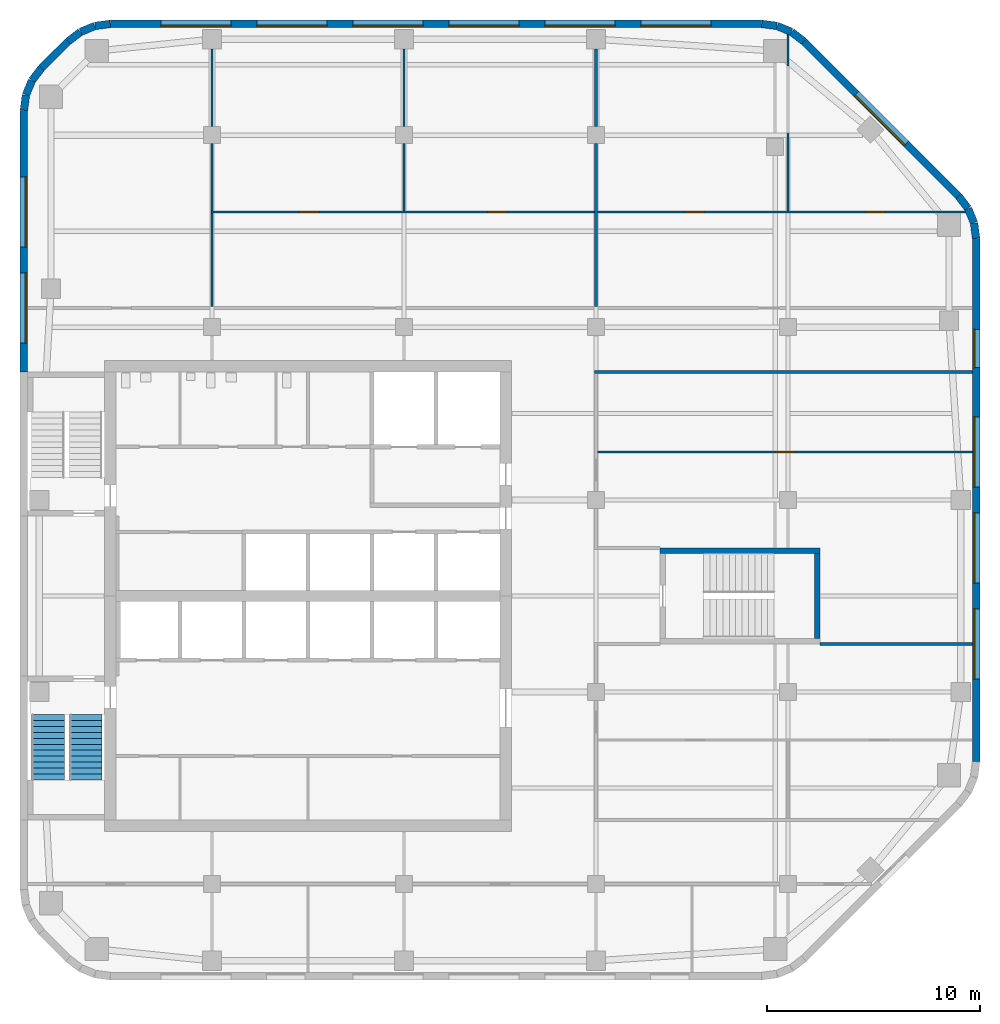
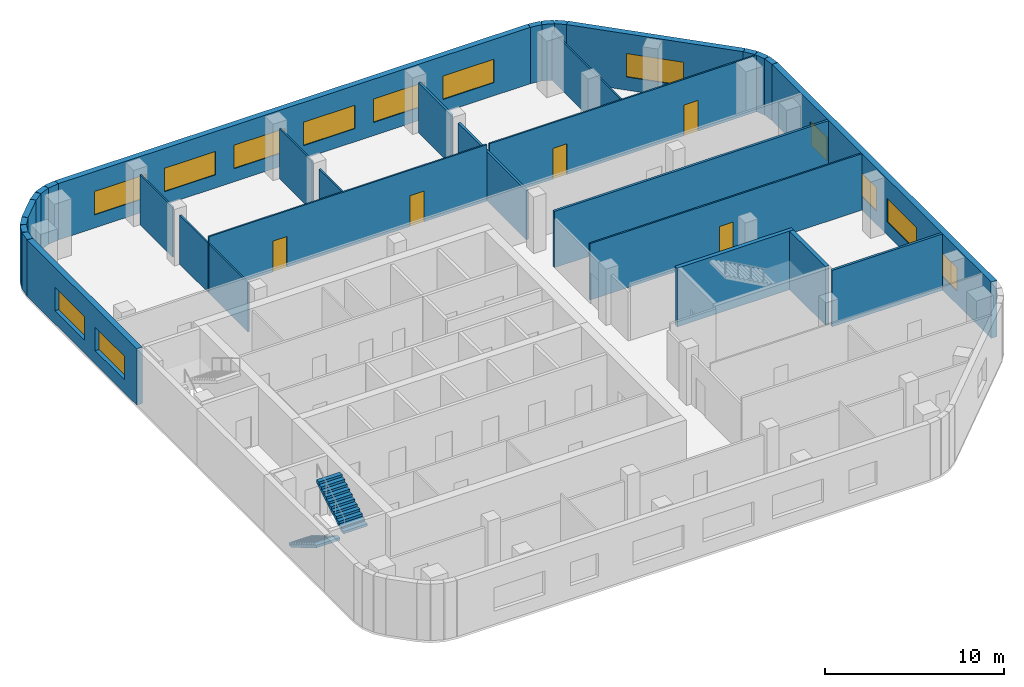
# One storey, part 5 of 8: 32 walls, 13 windows, 5 doors, 2 stair flights, 18 openings, 1 element without a shape of its own.
"""IFC4 building model written with IfcOpenShell, lengths in metres."""

from ifc_helpers import new_model, si_unit, direction, frame, frame_2d, origin, place, context, subcontext, project, spatial, polyline, rectangle, outline, extrude, material, layer, layer_set, type_object, element, fill, aggregate, save


model = new_model("IFC4")

# Units and contexts
model_context = context("Model", 3, precision=1e-05, world=origin(), true_north=direction((0.0, 1.0)))
body_context = subcontext(model_context, "Body", "Model", "MODEL_VIEW")
ifc_project = project(units=[si_unit("LENGTHUNIT", "METRE"), si_unit("AREAUNIT", "SQUARE_METRE"), si_unit("VOLUMEUNIT", "CUBIC_METRE"), si_unit("PLANEANGLEUNIT", "RADIAN"), si_unit("MASSUNIT", "GRAM", prefix="KILO")], contexts=[model_context])

# Site, building, storey
site_placement = place(None, origin())
site = spatial("IfcSite", under=ifc_project, at=site_placement, CompositionType="ELEMENT")
building_placement = place(site_placement, origin())
building = spatial("IfcBuilding", under=site, at=building_placement, Name="Cinnabar Reach Civic Tower", CompositionType="ELEMENT")
storey_placement = place(building_placement, frame((0.0, 0.0, 202.0)))
storey = spatial("IfcBuildingStorey", under=building, at=storey_placement, Name="L48", CompositionType="ELEMENT", Elevation=202.0)

# Walls
ifc_material_1 = material(Name="Facing brick with insulated backing", Category="masonry")
ifc_layer_1 = layer(ifc_material_1, 0.36)
ifc_layer_set_1 = layer_set([ifc_layer_1], Name="Brick corner wall")
wall_type_1 = type_object("IfcWallType", Name="Brick corner wall", PredefinedType="STANDARD", material=ifc_layer_set_1)
for number, where, z_axis, x_axis, name in (
    (1, (44.817, 48.2686, 0.0), (0.0, 0.0, 1.0), (-0.13055608231, 0.99144092581, 0.0), "Brick corner wall"),
    (2, (44.7181, 48.9973, 0.0), (0.0, 0.0, 1.0), (-0.382702709855, 0.923871547278, 0.0), "Brick corner wall"),
):
    element("IfcWall", number, at=place(storey_placement, frame(where, z_axis=z_axis, x_axis=x_axis)), inside=storey, type_object=wall_type_1, Name=name, PredefinedType="STANDARD", context=body_context, shape_type="SweptSolid", body=[
        extrude(rectangle(XDim=0.7131, YDim=0.36, at=frame_2d((0.3565, 0.0))), origin(), (0.0, 0.0, 1.0), 3.85),
    ])
for number, where, z_axis, x_axis, name in (
    (3, (44.434, 49.6755, 0.0), (0.0, 0.0, 1.0), (-0.608802368033, 0.793321924995, 0.0), "Brick corner wall"),
    (4, (36.7413, 57.4998, 0.0), (0.0, 0.0, 1.0), (-0.793321924995, 0.608802368033, 0.0), "Brick corner wall"),
):
    element("IfcWall", number, at=place(storey_placement, frame(where, z_axis=z_axis, x_axis=x_axis)), inside=storey, type_object=wall_type_1, Name=name, PredefinedType="STANDARD", context=body_context, shape_type="SweptSolid", body=[
        extrude(rectangle(XDim=0.7132, YDim=0.36, at=frame_2d((0.3566, 0.0))), origin(), (0.0, 0.0, 1.0), 3.85),
    ])
for number, where, z_axis, x_axis, name in (
    (5, (36.1561, 57.9452, 0.0), (0.0, 0.0, 1.0), (-0.923871547278, 0.382702709855, 0.0), "Brick corner wall"),
    (6, (35.4756, 58.2239, 0.0), (0.0, 0.0, 1.0), (-0.99144092581, 0.13055608231, 0.0), "Brick corner wall"),
    (7, (4.2314, 58.317, 0.0), (0.0, 0.0, 1.0), (-0.99144092581, -0.13055608231, 0.0), "Brick corner wall"),
    (8, (3.5027, 58.2181, 0.0), (0.0, 0.0, 1.0), (-0.923871547278, -0.382702709855, 0.0), "Brick corner wall"),
):
    element("IfcWall", number, at=place(storey_placement, frame(where, z_axis=z_axis, x_axis=x_axis)), inside=storey, type_object=wall_type_1, Name=name, PredefinedType="STANDARD", context=body_context, shape_type="SweptSolid", body=[
        extrude(rectangle(XDim=0.7131, YDim=0.36, at=frame_2d((0.3565, 0.0))), origin(), (0.0, 0.0, 1.0), 3.85),
    ])
for number, where, z_axis, x_axis, name in (
    (9, (2.8245, 57.934, 0.0), (0.0, 0.0, 1.0), (-0.793321924995, -0.608802368033, 0.0), "Brick corner wall"),
    (10, (1.0002, 56.2413, 0.0), (0.0, 0.0, 1.0), (-0.608802368033, -0.793321924995, 0.0), "Brick corner wall"),
):
    element("IfcWall", number, at=place(storey_placement, frame(where, z_axis=z_axis, x_axis=x_axis)), inside=storey, type_object=wall_type_1, Name=name, PredefinedType="STANDARD", context=body_context, shape_type="SweptSolid", body=[
        extrude(rectangle(XDim=0.7132, YDim=0.36, at=frame_2d((0.3566, 0.0))), origin(), (0.0, 0.0, 1.0), 3.85),
    ])
for number, where, z_axis, x_axis, name in (
    (11, (0.5548, 55.6561, 0.0), (0.0, 0.0, 1.0), (-0.382702709855, -0.923871547278, 0.0), "Brick corner wall"),
    (12, (0.2761, 54.9756, 0.0), (0.0, 0.0, 1.0), (-0.13055608231, -0.99144092581, 0.0), "Brick corner wall"),
):
    element("IfcWall", number, at=place(storey_placement, frame(where, z_axis=z_axis, x_axis=x_axis)), inside=storey, type_object=wall_type_1, Name=name, PredefinedType="STANDARD", context=body_context, shape_type="SweptSolid", body=[
        extrude(rectangle(XDim=0.7131, YDim=0.36, at=frame_2d((0.3565, 0.0))), origin(), (0.0, 0.0, 1.0), 3.85),
    ])

# Wall, openings, windows
ifc_layer_2 = layer(ifc_material_1, 0.36)
ifc_layer_set_2 = layer_set([ifc_layer_2], Name="Brick pier and spandrel wall")
wall_type_2 = type_object("IfcWallType", Name="Brick pier and spandrel wall", PredefinedType="STANDARD", material=ifc_layer_set_2)
wall_1_placement = place(storey_placement, frame((44.82, 23.7426, 0.0), z_axis=(0.0, 0.0, 1.0), x_axis=(0.0, 1.0, 0.0)))
wall_1 = element("IfcWall", 13, at=wall_1_placement, inside=storey, type_object=wall_type_2, Name="Brick facade wall", PredefinedType="STANDARD", context=body_context, shape_type="SweptSolid", body=[
    extrude(rectangle(XDim=24.5148, YDim=0.36, at=frame_2d((12.2574, 0.0))), origin(), (0.0, 0.0, 1.0), 3.85),
])
opening_1_placement = place(wall_1_placement, frame((3.8574, 0.0, 0.9)))
opening_1 = element("IfcOpeningElement", 14, at=opening_1_placement, cuts=wall_1, Name="Opening W1987", PredefinedType="OPENING", context=body_context, shape_type="SweptSolid", body=[
    extrude(rectangle(XDim=3.3, YDim=1.6, at=frame_2d((1.65, 0.8))), frame((0.0, 0.19, 0.0), z_axis=(0.0, -1.0, 0.0), x_axis=(1.0, 0.0, 0.0)), (0.0, 0.0, 1.0), 0.38),
])
opening_2_placement = place(wall_1_placement, frame((8.3574, 0.0, 0.9)))
opening_2 = element("IfcOpeningElement", 15, at=opening_2_placement, cuts=wall_1, Name="Opening W1988", PredefinedType="OPENING", context=body_context, shape_type="SweptSolid", body=[
    extrude(rectangle(XDim=3.3, YDim=1.6, at=frame_2d((1.65, 0.8))), frame((0.0, 0.19, 0.0), z_axis=(0.0, -1.0, 0.0), x_axis=(1.0, 0.0, 0.0)), (0.0, 0.0, 1.0), 0.38),
])
opening_3_placement = place(wall_1_placement, frame((12.8574, 0.0, 0.9)))
opening_3 = element("IfcOpeningElement", 16, at=opening_3_placement, cuts=wall_1, Name="Opening W1989", PredefinedType="OPENING", context=body_context, shape_type="SweptSolid", body=[
    extrude(rectangle(XDim=3.3, YDim=1.6, at=frame_2d((1.65, 0.8))), frame((0.0, 0.19, 0.0), z_axis=(0.0, -1.0, 0.0), x_axis=(1.0, 0.0, 0.0)), (0.0, 0.0, 1.0), 0.38),
])
opening_4_placement = place(wall_1_placement, frame((18.4574, 0.0, 0.9)))
opening_4 = element("IfcOpeningElement", 17, at=opening_4_placement, cuts=wall_1, Name="Opening W1990", PredefinedType="OPENING", context=body_context, shape_type="SweptSolid", body=[
    extrude(rectangle(XDim=1.8, YDim=1.6, at=frame_2d((0.9, 0.8))), frame((0.0, 0.19, 0.0), z_axis=(0.0, -1.0, 0.0), x_axis=(1.0, 0.0, 0.0)), (0.0, 0.0, 1.0), 0.38),
])
ifc_material_2 = material(Name="Clear double glazing in aluminium frame", Category="aluminium")
window_type_1 = type_object("IfcWindowType", Name="Deep-set window A", PartitioningType="SINGLE_PANEL", PredefinedType="WINDOW", material=ifc_material_2)
window_1_placement = place(opening_1_placement, origin())
window_1 = element("IfcWindow", 18, at=window_1_placement, inside=storey, type_object=window_type_1, Name="Window east face", OverallHeight=1.6, OverallWidth=3.3, PartitioningType="SINGLE_PANEL", PredefinedType="WINDOW", context=body_context, shape_type="SweptSolid", body=[
    extrude(rectangle(XDim=3.3, YDim=1.6, at=frame_2d((1.65, 0.8))), frame((0.0, 0.13, 0.0), z_axis=(0.0, -1.0, 0.0), x_axis=(1.0, 0.0, 0.0)), (0.0, 0.0, 1.0), 0.06),
])
fill(opening_1, window_1)
window_2_placement = place(opening_2_placement, origin())
window_2 = element("IfcWindow", 19, at=window_2_placement, inside=storey, type_object=window_type_1, Name="Window east face", OverallHeight=1.6, OverallWidth=3.3, PartitioningType="SINGLE_PANEL", PredefinedType="WINDOW", context=body_context, shape_type="SweptSolid", body=[
    extrude(rectangle(XDim=3.3, YDim=1.6, at=frame_2d((1.65, 0.8))), frame((0.0, 0.13, 0.0), z_axis=(0.0, -1.0, 0.0), x_axis=(1.0, 0.0, 0.0)), (0.0, 0.0, 1.0), 0.06),
])
fill(opening_2, window_2)
window_3_placement = place(opening_3_placement, origin())
window_3 = element("IfcWindow", 20, at=window_3_placement, inside=storey, type_object=window_type_1, Name="Window east face", OverallHeight=1.6, OverallWidth=3.3, PartitioningType="SINGLE_PANEL", PredefinedType="WINDOW", context=body_context, shape_type="SweptSolid", body=[
    extrude(rectangle(XDim=3.3, YDim=1.6, at=frame_2d((1.65, 0.8))), frame((0.0, 0.13, 0.0), z_axis=(0.0, -1.0, 0.0), x_axis=(1.0, 0.0, 0.0)), (0.0, 0.0, 1.0), 0.06),
])
fill(opening_3, window_3)
window_type_2 = type_object("IfcWindowType", Name="Deep-set window D", PartitioningType="SINGLE_PANEL", PredefinedType="WINDOW", material=ifc_material_2)
window_4_placement = place(opening_4_placement, origin())
window_4 = element("IfcWindow", 21, at=window_4_placement, inside=storey, type_object=window_type_2, Name="Window east face", OverallHeight=1.6, OverallWidth=1.8, PartitioningType="SINGLE_PANEL", PredefinedType="WINDOW", context=body_context, shape_type="SweptSolid", body=[
    extrude(rectangle(XDim=1.8, YDim=1.6, at=frame_2d((0.9, 0.8))), frame((0.0, 0.13, 0.0), z_axis=(0.0, -1.0, 0.0), x_axis=(1.0, 0.0, 0.0)), (0.0, 0.0, 1.0), 0.06),
])
fill(opening_4, window_4)

# Wall, opening, window
wall_2_placement = place(storey_placement, frame((43.994, 50.2514, 0.0), z_axis=(0.0, 0.0, 1.0), x_axis=(-0.707106781187, 0.707106781187, 0.0)))
wall_2 = element("IfcWall", 22, at=wall_2_placement, inside=storey, type_object=wall_type_2, Name="Brick facade wall", PredefinedType="STANDARD", context=body_context, shape_type="SweptSolid", body=[
    extrude(rectangle(XDim=10.2426, YDim=0.36, at=frame_2d((5.1213, 0.0))), origin(), (0.0, 0.0, 1.0), 3.85),
])
opening_5_placement = place(wall_2_placement, frame((3.4713, 0.0, 0.9)))
opening_5 = element("IfcOpeningElement", 23, at=opening_5_placement, cuts=wall_2, Name="Opening W1991", PredefinedType="OPENING", context=body_context, shape_type="SweptSolid", body=[
    extrude(rectangle(XDim=3.3, YDim=1.6, at=frame_2d((1.65, 0.8))), frame((0.0, 0.19, 0.0), z_axis=(0.0, -1.0, 0.0), x_axis=(1.0, 0.0, 0.0)), (0.0, 0.0, 1.0), 0.38),
])
window_5_placement = place(opening_5_placement, origin())
window_5 = element("IfcWindow", 24, at=window_5_placement, inside=storey, type_object=window_type_1, Name="Window northeast face", OverallHeight=1.6, OverallWidth=3.3, PartitioningType="SINGLE_PANEL", PredefinedType="WINDOW", context=body_context, shape_type="SweptSolid", body=[
    extrude(rectangle(XDim=3.3, YDim=1.6, at=frame_2d((1.65, 0.8))), frame((0.0, 0.13, 0.0), z_axis=(0.0, -1.0, 0.0), x_axis=(1.0, 0.0, 0.0)), (0.0, 0.0, 1.0), 0.06),
])
fill(opening_5, window_5)

# Wall, openings, windows
wall_3_placement = place(storey_placement, frame((34.7574, 58.32, 0.0), z_axis=(0.0, 0.0, 1.0), x_axis=(-1.0, 0.0, 0.0)))
wall_3 = element("IfcWall", 25, at=wall_3_placement, inside=storey, type_object=wall_type_2, Name="Brick facade wall", PredefinedType="STANDARD", context=body_context, shape_type="SweptSolid", body=[
    extrude(rectangle(XDim=30.5148, YDim=0.36, at=frame_2d((15.2574, 0.0))), origin(), (0.0, 0.0, 1.0), 3.85),
])
opening_6_placement = place(wall_3_placement, frame((2.3574, 0.0, 0.9)))
opening_6 = element("IfcOpeningElement", 26, at=opening_6_placement, cuts=wall_3, Name="Opening W1992", PredefinedType="OPENING", context=body_context, shape_type="SweptSolid", body=[
    extrude(rectangle(XDim=3.3, YDim=1.6, at=frame_2d((1.65, 0.8))), frame((0.0, 0.19, 0.0), z_axis=(0.0, -1.0, 0.0), x_axis=(1.0, 0.0, 0.0)), (0.0, 0.0, 1.0), 0.38),
])
opening_7_placement = place(wall_3_placement, frame((6.8574, 0.0, 0.9)))
opening_7 = element("IfcOpeningElement", 27, at=opening_7_placement, cuts=wall_3, Name="Opening W1993", PredefinedType="OPENING", context=body_context, shape_type="SweptSolid", body=[
    extrude(rectangle(XDim=3.3, YDim=1.6, at=frame_2d((1.65, 0.8))), frame((0.0, 0.19, 0.0), z_axis=(0.0, -1.0, 0.0), x_axis=(1.0, 0.0, 0.0)), (0.0, 0.0, 1.0), 0.38),
])
opening_8_placement = place(wall_3_placement, frame((11.3574, 0.0, 0.9)))
opening_8 = element("IfcOpeningElement", 28, at=opening_8_placement, cuts=wall_3, Name="Opening W1994", PredefinedType="OPENING", context=body_context, shape_type="SweptSolid", body=[
    extrude(rectangle(XDim=3.3, YDim=1.6, at=frame_2d((1.65, 0.8))), frame((0.0, 0.19, 0.0), z_axis=(0.0, -1.0, 0.0), x_axis=(1.0, 0.0, 0.0)), (0.0, 0.0, 1.0), 0.38),
])
opening_9_placement = place(wall_3_placement, frame((15.8574, 0.0, 0.9)))
opening_9 = element("IfcOpeningElement", 29, at=opening_9_placement, cuts=wall_3, Name="Opening W1995", PredefinedType="OPENING", context=body_context, shape_type="SweptSolid", body=[
    extrude(rectangle(XDim=3.3, YDim=1.6, at=frame_2d((1.65, 0.8))), frame((0.0, 0.19, 0.0), z_axis=(0.0, -1.0, 0.0), x_axis=(1.0, 0.0, 0.0)), (0.0, 0.0, 1.0), 0.38),
])
opening_10_placement = place(wall_3_placement, frame((20.3574, 0.0, 0.9)))
opening_10 = element("IfcOpeningElement", 30, at=opening_10_placement, cuts=wall_3, Name="Opening W1996", PredefinedType="OPENING", context=body_context, shape_type="SweptSolid", body=[
    extrude(rectangle(XDim=3.3, YDim=1.6, at=frame_2d((1.65, 0.8))), frame((0.0, 0.19, 0.0), z_axis=(0.0, -1.0, 0.0), x_axis=(1.0, 0.0, 0.0)), (0.0, 0.0, 1.0), 0.38),
])
opening_11_placement = place(wall_3_placement, frame((24.8574, 0.0, 0.9)))
opening_11 = element("IfcOpeningElement", 31, at=opening_11_placement, cuts=wall_3, Name="Opening W1997", PredefinedType="OPENING", context=body_context, shape_type="SweptSolid", body=[
    extrude(rectangle(XDim=3.3, YDim=1.6, at=frame_2d((1.65, 0.8))), frame((0.0, 0.19, 0.0), z_axis=(0.0, -1.0, 0.0), x_axis=(1.0, 0.0, 0.0)), (0.0, 0.0, 1.0), 0.38),
])
window_6_placement = place(opening_6_placement, origin())
window_6 = element("IfcWindow", 32, at=window_6_placement, inside=storey, type_object=window_type_1, Name="Window north face", OverallHeight=1.6, OverallWidth=3.3, PartitioningType="SINGLE_PANEL", PredefinedType="WINDOW", context=body_context, shape_type="SweptSolid", body=[
    extrude(rectangle(XDim=3.3, YDim=1.6, at=frame_2d((1.65, 0.8))), frame((0.0, 0.13, 0.0), z_axis=(0.0, -1.0, 0.0), x_axis=(1.0, 0.0, 0.0)), (0.0, 0.0, 1.0), 0.06),
])
fill(opening_6, window_6)
window_7_placement = place(opening_7_placement, origin())
window_7 = element("IfcWindow", 33, at=window_7_placement, inside=storey, type_object=window_type_1, Name="Window north face", OverallHeight=1.6, OverallWidth=3.3, PartitioningType="SINGLE_PANEL", PredefinedType="WINDOW", context=body_context, shape_type="SweptSolid", body=[
    extrude(rectangle(XDim=3.3, YDim=1.6, at=frame_2d((1.65, 0.8))), frame((0.0, 0.13, 0.0), z_axis=(0.0, -1.0, 0.0), x_axis=(1.0, 0.0, 0.0)), (0.0, 0.0, 1.0), 0.06),
])
fill(opening_7, window_7)
window_8_placement = place(opening_8_placement, origin())
window_8 = element("IfcWindow", 34, at=window_8_placement, inside=storey, type_object=window_type_1, Name="Window north face", OverallHeight=1.6, OverallWidth=3.3, PartitioningType="SINGLE_PANEL", PredefinedType="WINDOW", context=body_context, shape_type="SweptSolid", body=[
    extrude(rectangle(XDim=3.3, YDim=1.6, at=frame_2d((1.65, 0.8))), frame((0.0, 0.13, 0.0), z_axis=(0.0, -1.0, 0.0), x_axis=(1.0, 0.0, 0.0)), (0.0, 0.0, 1.0), 0.06),
])
fill(opening_8, window_8)
window_9_placement = place(opening_9_placement, origin())
window_9 = element("IfcWindow", 35, at=window_9_placement, inside=storey, type_object=window_type_1, Name="Window north face", OverallHeight=1.6, OverallWidth=3.3, PartitioningType="SINGLE_PANEL", PredefinedType="WINDOW", context=body_context, shape_type="SweptSolid", body=[
    extrude(rectangle(XDim=3.3, YDim=1.6, at=frame_2d((1.65, 0.8))), frame((0.0, 0.13, 0.0), z_axis=(0.0, -1.0, 0.0), x_axis=(1.0, 0.0, 0.0)), (0.0, 0.0, 1.0), 0.06),
])
fill(opening_9, window_9)
window_10_placement = place(opening_10_placement, origin())
window_10 = element("IfcWindow", 36, at=window_10_placement, inside=storey, type_object=window_type_1, Name="Window north face", OverallHeight=1.6, OverallWidth=3.3, PartitioningType="SINGLE_PANEL", PredefinedType="WINDOW", context=body_context, shape_type="SweptSolid", body=[
    extrude(rectangle(XDim=3.3, YDim=1.6, at=frame_2d((1.65, 0.8))), frame((0.0, 0.13, 0.0), z_axis=(0.0, -1.0, 0.0), x_axis=(1.0, 0.0, 0.0)), (0.0, 0.0, 1.0), 0.06),
])
fill(opening_10, window_10)
window_11_placement = place(opening_11_placement, origin())
window_11 = element("IfcWindow", 37, at=window_11_placement, inside=storey, type_object=window_type_1, Name="Window north face", OverallHeight=1.6, OverallWidth=3.3, PartitioningType="SINGLE_PANEL", PredefinedType="WINDOW", context=body_context, shape_type="SweptSolid", body=[
    extrude(rectangle(XDim=3.3, YDim=1.6, at=frame_2d((1.65, 0.8))), frame((0.0, 0.13, 0.0), z_axis=(0.0, -1.0, 0.0), x_axis=(1.0, 0.0, 0.0)), (0.0, 0.0, 1.0), 0.06),
])
fill(opening_11, window_11)

# Wall
wall_4_placement = place(storey_placement, frame((2.2486, 57.494, 0.0), z_axis=(0.0, 0.0, 1.0), x_axis=(-0.707106781187, -0.707106781187, 0.0)))
element("IfcWall", 38, at=wall_4_placement, inside=storey, type_object=wall_type_2, Name="Brick facade wall", PredefinedType="STANDARD", context=body_context, shape_type="SweptSolid", body=[
    extrude(rectangle(XDim=1.7573, YDim=0.36, at=frame_2d((0.8787, 0.0))), origin(), (0.0, 0.0, 1.0), 3.85),
])

# Wall, openings, windows
wall_5_placement = place(storey_placement, frame((0.18, 54.2574, 0.0), z_axis=(0.0, 0.0, 1.0), x_axis=(0.0, -1.0, 0.0)))
wall_5 = element("IfcWall", 39, at=wall_5_placement, inside=storey, type_object=wall_type_2, Name="Brick facade wall", PredefinedType="STANDARD", context=body_context, shape_type="SweptSolid", body=[
    extrude(rectangle(XDim=12.2574, YDim=0.36, at=frame_2d((6.1287, 0.0))), origin(), (0.0, 0.0, 1.0), 3.85),
])
opening_12_placement = place(wall_5_placement, frame((3.1074, 0.0, 0.9)))
opening_12 = element("IfcOpeningElement", 40, at=opening_12_placement, cuts=wall_5, Name="Opening W1998", PredefinedType="OPENING", context=body_context, shape_type="SweptSolid", body=[
    extrude(rectangle(XDim=3.3, YDim=1.6, at=frame_2d((1.65, 0.8))), frame((0.0, 0.19, 0.0), z_axis=(0.0, -1.0, 0.0), x_axis=(1.0, 0.0, 0.0)), (0.0, 0.0, 1.0), 0.38),
])
opening_13_placement = place(wall_5_placement, frame((7.6074, 0.0, 0.9)))
opening_13 = element("IfcOpeningElement", 41, at=opening_13_placement, cuts=wall_5, Name="Opening W1999", PredefinedType="OPENING", context=body_context, shape_type="SweptSolid", body=[
    extrude(rectangle(XDim=3.3, YDim=1.6, at=frame_2d((1.65, 0.8))), frame((0.0, 0.19, 0.0), z_axis=(0.0, -1.0, 0.0), x_axis=(1.0, 0.0, 0.0)), (0.0, 0.0, 1.0), 0.38),
])
window_12_placement = place(opening_12_placement, origin())
window_12 = element("IfcWindow", 42, at=window_12_placement, inside=storey, type_object=window_type_1, Name="Window west face", OverallHeight=1.6, OverallWidth=3.3, PartitioningType="SINGLE_PANEL", PredefinedType="WINDOW", context=body_context, shape_type="SweptSolid", body=[
    extrude(rectangle(XDim=3.3, YDim=1.6, at=frame_2d((1.65, 0.8))), frame((0.0, 0.13, 0.0), z_axis=(0.0, -1.0, 0.0), x_axis=(1.0, 0.0, 0.0)), (0.0, 0.0, 1.0), 0.06),
])
fill(opening_12, window_12)
window_13_placement = place(opening_13_placement, origin())
window_13 = element("IfcWindow", 43, at=window_13_placement, inside=storey, type_object=window_type_1, Name="Window west face", OverallHeight=1.6, OverallWidth=3.3, PartitioningType="SINGLE_PANEL", PredefinedType="WINDOW", context=body_context, shape_type="SweptSolid", body=[
    extrude(rectangle(XDim=3.3, YDim=1.6, at=frame_2d((1.65, 0.8))), frame((0.0, 0.13, 0.0), z_axis=(0.0, -1.0, 0.0), x_axis=(1.0, 0.0, 0.0)), (0.0, 0.0, 1.0), 0.06),
])
fill(opening_13, window_13)

# Wall
ifc_material_3 = material(Name="Gypsum board on steel studs, double layer", Category="steel")
ifc_layer_3 = layer(ifc_material_3, 0.15)
ifc_layer_set_3 = layer_set([ifc_layer_3], Name="Corridor wall 150 T1")
wall_type_3 = type_object("IfcWallType", Name="Corridor wall 150 T1", PredefinedType="PARTITIONING", material=ifc_layer_set_3)
wall_6_placement = place(storey_placement, frame((26.925, 42.0, 0.0), z_axis=(0.0, 0.0, 1.0), x_axis=(1.0, 0.0, 0.0)))
element("IfcWall", 44, at=wall_6_placement, inside=storey, type_object=wall_type_3, Name="Corridor wall 25", PredefinedType="PARTITIONING", context=body_context, shape_type="SweptSolid", body=[
    extrude(rectangle(XDim=17.715, YDim=0.15, at=frame_2d((8.8575, 0.0))), origin(), (0.0, 0.0, 1.0), 3.85),
])

# Wall, openings, doors
ifc_material_4 = material(Name="Gypsum board on steel studs", Category="steel")
ifc_layer_4 = layer(ifc_material_4, 0.1)
ifc_layer_set_4 = layer_set([ifc_layer_4], Name="Partition wall 100 T1")
wall_type_4 = type_object("IfcWallType", Name="Partition wall 100 T1", PredefinedType="PARTITIONING", material=ifc_layer_set_4)
wall_7_placement = place(storey_placement, frame((8.95, 49.5, 0.0), z_axis=(0.0, 0.0, 1.0), x_axis=(1.0, 0.0, 0.0)))
wall_7 = element("IfcWall", 45, at=wall_7_placement, inside=storey, type_object=wall_type_4, Name="Partition wall 42", PredefinedType="PARTITIONING", context=body_context, shape_type="SweptSolid", body=[
    extrude(rectangle(XDim=17.975, YDim=0.1, at=frame_2d((8.9875, 0.0))), origin(), (0.0, 0.0, 1.0), 3.85),
])
opening_14_placement = place(wall_7_placement, frame((4.15, 0.0, 0.0)))
opening_14 = element("IfcOpeningElement", 46, at=opening_14_placement, cuts=wall_7, Name="Opening D4988", PredefinedType="OPENING", context=body_context, shape_type="SweptSolid", body=[
    extrude(rectangle(XDim=0.9, YDim=2.1, at=frame_2d((0.45, 1.05))), frame((0.0, 0.06, 0.0), z_axis=(0.0, -1.0, 0.0), x_axis=(1.0, 0.0, 0.0)), (0.0, 0.0, 1.0), 0.12),
])
opening_15_placement = place(wall_7_placement, frame((13.0, 0.0, 0.0)))
opening_15 = element("IfcOpeningElement", 47, at=opening_15_placement, cuts=wall_7, Name="Opening D4989", PredefinedType="OPENING", context=body_context, shape_type="SweptSolid", body=[
    extrude(rectangle(XDim=0.9, YDim=2.1, at=frame_2d((0.45, 1.05))), frame((0.0, 0.06, 0.0), z_axis=(0.0, -1.0, 0.0), x_axis=(1.0, 0.0, 0.0)), (0.0, 0.0, 1.0), 0.12),
])
ifc_material_5 = material(Name="Timber door leaf in steel frame", Category="steel")
door_type = type_object("IfcDoorType", Name="Single swing door 900 x 2100 T1", OperationType="SINGLE_SWING_LEFT", PredefinedType="DOOR", material=ifc_material_5)
door_1_placement = place(opening_14_placement, origin())
door_1 = element("IfcDoor", 48, at=door_1_placement, inside=storey, type_object=door_type, Name="Door D4988", OperationType="SINGLE_SWING_LEFT", OverallHeight=2.1, OverallWidth=0.9, PredefinedType="DOOR", context=body_context, shape_type="SweptSolid", body=[
    extrude(rectangle(XDim=0.9, YDim=2.1, at=frame_2d((0.45, 1.05))), frame((0.0, 0.025, 0.0), z_axis=(0.0, -1.0, 0.0), x_axis=(1.0, 0.0, 0.0)), (0.0, 0.0, 1.0), 0.05),
])
fill(opening_14, door_1)
door_2_placement = place(opening_15_placement, origin())
door_2 = element("IfcDoor", 49, at=door_2_placement, inside=storey, type_object=door_type, Name="Door D4989", OperationType="SINGLE_SWING_RIGHT", OverallHeight=2.1, OverallWidth=0.9, PredefinedType="DOOR", context=body_context, shape_type="SweptSolid", body=[
    extrude(rectangle(XDim=0.9, YDim=2.1, at=frame_2d((0.45, 1.05))), frame((0.0, 0.025, 0.0), z_axis=(0.0, -1.0, 0.0), x_axis=(1.0, 0.0, 0.0)), (0.0, 0.0, 1.0), 0.05),
])
fill(opening_15, door_2)

wall_8_placement = place(storey_placement, frame((27.075, 49.5, 0.0), z_axis=(0.0, 0.0, 1.0), x_axis=(1.0, 0.0, 0.0)))
wall_8 = element("IfcWall", 50, at=wall_8_placement, inside=storey, type_object=wall_type_4, Name="Partition wall 43", PredefinedType="PARTITIONING", context=body_context, shape_type="SweptSolid", body=[
    extrude(rectangle(XDim=17.24, YDim=0.1, at=frame_2d((8.62, 0.0))), origin(), (0.0, 0.0, 1.0), 3.85),
])
opening_16_placement = place(wall_8_placement, frame((4.1, 0.0, 0.0)))
opening_16 = element("IfcOpeningElement", 51, at=opening_16_placement, cuts=wall_8, Name="Opening D4991", PredefinedType="OPENING", context=body_context, shape_type="SweptSolid", body=[
    extrude(rectangle(XDim=0.9, YDim=2.1, at=frame_2d((0.45, 1.05))), frame((0.0, 0.06, 0.0), z_axis=(0.0, -1.0, 0.0), x_axis=(1.0, 0.0, 0.0)), (0.0, 0.0, 1.0), 0.12),
])
opening_17_placement = place(wall_8_placement, frame((12.575, 0.0, 0.0)))
opening_17 = element("IfcOpeningElement", 52, at=opening_17_placement, cuts=wall_8, Name="Opening D4992", PredefinedType="OPENING", context=body_context, shape_type="SweptSolid", body=[
    extrude(rectangle(XDim=0.9, YDim=2.1, at=frame_2d((0.45, 1.05))), frame((0.0, 0.06, 0.0), z_axis=(0.0, -1.0, 0.0), x_axis=(1.0, 0.0, 0.0)), (0.0, 0.0, 1.0), 0.12),
])
door_3_placement = place(opening_16_placement, origin())
door_3 = element("IfcDoor", 53, at=door_3_placement, inside=storey, type_object=door_type, Name="Door D4991", OperationType="SINGLE_SWING_RIGHT", OverallHeight=2.1, OverallWidth=0.9, PredefinedType="DOOR", context=body_context, shape_type="SweptSolid", body=[
    extrude(rectangle(XDim=0.9, YDim=2.1, at=frame_2d((0.45, 1.05))), frame((0.0, 0.025, 0.0), z_axis=(0.0, -1.0, 0.0), x_axis=(1.0, 0.0, 0.0)), (0.0, 0.0, 1.0), 0.05),
])
fill(opening_16, door_3)
door_4_placement = place(opening_17_placement, origin())
door_4 = element("IfcDoor", 54, at=door_4_placement, inside=storey, type_object=door_type, Name="Door D4992", OperationType="SINGLE_SWING_LEFT", OverallHeight=2.1, OverallWidth=0.9, PredefinedType="DOOR", context=body_context, shape_type="SweptSolid", body=[
    extrude(rectangle(XDim=0.9, YDim=2.1, at=frame_2d((0.45, 1.05))), frame((0.0, 0.025, 0.0), z_axis=(0.0, -1.0, 0.0), x_axis=(1.0, 0.0, 0.0)), (0.0, 0.0, 1.0), 0.05),
])
fill(opening_17, door_4)

# Wall, opening, door
wall_9_placement = place(storey_placement, frame((27.075, 38.25, 0.0), z_axis=(0.0, 0.0, 1.0), x_axis=(1.0, 0.0, 0.0)))
wall_9 = element("IfcWall", 55, at=wall_9_placement, inside=storey, type_object=wall_type_4, Name="Partition wall 45", PredefinedType="PARTITIONING", context=body_context, shape_type="SweptSolid", body=[
    extrude(rectangle(XDim=17.565, YDim=0.1, at=frame_2d((8.7825, 0.0))), origin(), (0.0, 0.0, 1.0), 3.85),
])
opening_18_placement = place(wall_9_placement, frame((8.35, 0.0, 0.0)))
opening_18 = element("IfcOpeningElement", 56, at=opening_18_placement, cuts=wall_9, Name="Opening D4979", PredefinedType="OPENING", context=body_context, shape_type="SweptSolid", body=[
    extrude(rectangle(XDim=0.9, YDim=2.1, at=frame_2d((0.45, 1.05))), frame((0.0, 0.06, 0.0), z_axis=(0.0, -1.0, 0.0), x_axis=(1.0, 0.0, 0.0)), (0.0, 0.0, 1.0), 0.12),
])
door_5_placement = place(opening_18_placement, origin())
door_5 = element("IfcDoor", 57, at=door_5_placement, inside=storey, type_object=door_type, Name="Door D4979", OperationType="SINGLE_SWING_RIGHT", OverallHeight=2.1, OverallWidth=0.9, PredefinedType="DOOR", context=body_context, shape_type="SweptSolid", body=[
    extrude(rectangle(XDim=0.9, YDim=2.1, at=frame_2d((0.45, 1.05))), frame((0.0, 0.025, 0.0), z_axis=(0.0, -1.0, 0.0), x_axis=(1.0, 0.0, 0.0)), (0.0, 0.0, 1.0), 0.05),
])
fill(opening_18, door_5)

# Walls
wall_10_placement = place(storey_placement, frame((9.0, 45.075, 0.0), z_axis=(0.0, 0.0, 1.0), x_axis=(0.0, 1.0, 0.0)))
element("IfcWall", 58, at=wall_10_placement, inside=storey, type_object=wall_type_4, Name="Partition wall 46", PredefinedType="PARTITIONING", context=body_context, shape_type="SweptSolid", body=[
    extrude(rectangle(XDim=4.375, YDim=0.1, at=frame_2d((2.1875, 0.0))), origin(), (0.0, 0.0, 1.0), 3.35),
])
wall_11_placement = place(storey_placement, frame((9.0, 49.55, 0.0), z_axis=(0.0, 0.0, 1.0), x_axis=(0.0, 1.0, 0.0)))
element("IfcWall", 59, at=wall_11_placement, inside=storey, type_object=wall_type_4, Name="Partition wall 47", PredefinedType="PARTITIONING", context=body_context, shape_type="SweptSolid", body=[
    extrude(rectangle(XDim=3.15, YDim=0.1, at=frame_2d((1.575, 0.0))), origin(), (0.0, 0.0, 1.0), 3.35),
])
wall_12_placement = place(storey_placement, frame((9.0, 53.5, 0.0), z_axis=(0.0, 0.0, 1.0), x_axis=(0.0, 1.0, 0.0)))
element("IfcWall", 60, at=wall_12_placement, inside=storey, type_object=wall_type_4, Name="Partition wall 48", PredefinedType="PARTITIONING", context=body_context, shape_type="SweptSolid", body=[
    extrude(rectangle(XDim=3.65, YDim=0.1, at=frame_2d((1.825, 0.0))), origin(), (0.0, 0.0, 1.0), 3.41),
])
wall_13_placement = place(storey_placement, frame((18.0, 49.55, 0.0), z_axis=(0.0, 0.0, 1.0), x_axis=(0.0, 1.0, 0.0)))
element("IfcWall", 61, at=wall_13_placement, inside=storey, type_object=wall_type_4, Name="Partition wall 49", PredefinedType="PARTITIONING", context=body_context, shape_type="SweptSolid", body=[
    extrude(rectangle(XDim=3.15, YDim=0.1, at=frame_2d((1.575, 0.0))), origin(), (0.0, 0.0, 1.0), 3.35),
])
wall_14_placement = place(storey_placement, frame((18.0, 53.5, 0.0), z_axis=(0.0, 0.0, 1.0), x_axis=(0.0, 1.0, 0.0)))
element("IfcWall", 62, at=wall_14_placement, inside=storey, type_object=wall_type_4, Name="Partition wall 50", PredefinedType="PARTITIONING", context=body_context, shape_type="SweptSolid", body=[
    extrude(rectangle(XDim=3.65, YDim=0.1, at=frame_2d((1.825, 0.0))), origin(), (0.0, 0.0, 1.0), 3.41),
])
wall_15_placement = place(storey_placement, frame((36.0, 49.55, 0.0), z_axis=(0.0, 0.0, 1.0), x_axis=(0.0, 1.0, 0.0)))
element("IfcWall", 63, at=wall_15_placement, inside=storey, type_object=wall_type_4, Name="Partition wall 51", PredefinedType="PARTITIONING", context=body_context, shape_type="SweptSolid", body=[
    extrude(rectangle(XDim=8.265, YDim=0.1, at=frame_2d((4.1325, 0.0))), origin(), (0.0, 0.0, 1.0), 3.35),
])
ifc_material_6 = material(Name="Concrete C60", Category="concrete")
ifc_layer_5 = layer(ifc_material_6, 0.25)
ifc_layer_set_5 = layer_set([ifc_layer_5], Name="Stair shaft wall 250 EI 120")
wall_type_5 = type_object("IfcWallType", Name="Stair shaft wall 250 EI 120", PredefinedType="SOLIDWALL", material=ifc_layer_set_5)
wall_16_placement = place(storey_placement, frame((37.5, 33.625, 0.0), z_axis=(0.0, 0.0, 1.0), x_axis=(-1.0, 0.0, 0.0)))
element("IfcWall", 64, at=wall_16_placement, inside=storey, type_object=wall_type_5, Name="Stair shaft wall T1-S3 L48", PredefinedType="SOLIDWALL", context=body_context, shape_type="SweptSolid", body=[
    extrude(rectangle(XDim=7.5, YDim=0.25, at=frame_2d((3.75, 0.0))), origin(), (0.0, 0.0, 1.0), 4.0),
])
wall_17_placement = place(storey_placement, frame((37.375, 29.5, 0.0), z_axis=(0.0, 0.0, 1.0), x_axis=(0.0, 1.0, 0.0)))
element("IfcWall", 65, at=wall_17_placement, inside=storey, type_object=wall_type_5, Name="Stair shaft wall T1-S3 L48", PredefinedType="SOLIDWALL", context=body_context, shape_type="SweptSolid", body=[
    extrude(rectangle(XDim=4.0, YDim=0.25, at=frame_2d((2.0, 0.0))), origin(), (0.0, 0.0, 1.0), 4.0),
])
ifc_layer_6 = layer(ifc_material_3, 0.15)
ifc_layer_set_6 = layer_set([ifc_layer_6], Name="Tenancy separating wall 150 T1")
wall_type_6 = type_object("IfcWallType", Name="Tenancy separating wall 150 T1", PredefinedType="PARTITIONING", material=ifc_layer_set_6)
wall_18_placement = place(storey_placement, frame((27.0, 45.075, 0.0), z_axis=(0.0, 0.0, 1.0), x_axis=(0.0, 1.0, 0.0)))
element("IfcWall", 66, at=wall_18_placement, inside=storey, type_object=wall_type_6, Name="Tenancy separating wall 39", PredefinedType="PARTITIONING", context=body_context, shape_type="SweptSolid", body=[
    extrude(rectangle(XDim=7.625, YDim=0.15, at=frame_2d((3.8125, 0.0))), origin(), (0.0, 0.0, 1.0), 3.35),
])
wall_19_placement = place(storey_placement, frame((27.0, 53.5, 0.0), z_axis=(0.0, 0.0, 1.0), x_axis=(0.0, 1.0, 0.0)))
element("IfcWall", 67, at=wall_19_placement, inside=storey, type_object=wall_type_6, Name="Tenancy separating wall 40", PredefinedType="PARTITIONING", context=body_context, shape_type="SweptSolid", body=[
    extrude(rectangle(XDim=3.65, YDim=0.15, at=frame_2d((1.825, 0.0))), origin(), (0.0, 0.0, 1.0), 3.41),
])
wall_20_placement = place(storey_placement, frame((37.5, 29.25, 0.0), z_axis=(0.0, 0.0, 1.0), x_axis=(1.0, 0.0, 0.0)))
element("IfcWall", 68, at=wall_20_placement, inside=storey, type_object=wall_type_6, Name="Tenancy separating wall 41", PredefinedType="PARTITIONING", context=body_context, shape_type="SweptSolid", body=[
    extrude(rectangle(XDim=7.14, YDim=0.15, at=frame_2d((3.57, 0.0))), origin(), (0.0, 0.0, 1.0), 3.85),
])

# Stair, stair flights
ifc_material_7 = material(Name="Concrete C40/50", Category="concrete")
stair_type = type_object("IfcStairType", Name="T1 Exit stair, half-turn", PredefinedType="HALF_TURN_STAIR", material=ifc_material_7)
stair_placement = place(storey_placement, origin())
stair = element("IfcStair", 69, at=stair_placement, inside=storey, type_object=stair_type, Name="Stair T1-S1", PredefinedType="HALF_TURN_STAIR")
stair_flight_type = type_object("IfcStairFlightType", Name="T1 Stair flight, concrete", PredefinedType="STRAIGHT", material=ifc_material_7)
stair_flight_1_placement = place(storey_placement, frame((1.3125, 25.95, 0.0), z_axis=(0.0, 0.0, 1.0), x_axis=(0.0, -1.0, 0.0)))
stair_flight_1 = element("IfcStairFlight", 70, at=stair_flight_1_placement, type_object=stair_flight_type, Name="T1-S1 flight 1", NumberOfRisers=12, NumberOfTreads=11, PredefinedType="STRAIGHT", RiserHeight=0.166666667, TreadLength=0.28, context=body_context, shape_type="SweptSolid", body=[
    extrude(outline(polyline([(0.0, 0.0), (0.0, 0.1667), (0.28, 0.1667), (0.28, 0.3333), (0.56, 0.3333), (0.56, 0.5), (0.84, 0.5), (0.84, 0.6667), (1.12, 0.6667), (1.12, 0.8333), (1.4, 0.8333), (1.4, 1.0), (1.68, 1.0), (1.68, 1.1667), (1.96, 1.1667), (1.96, 1.3333), (2.24, 1.3333), (2.24, 1.5), (2.52, 1.5), (2.52, 1.6667), (2.8, 1.6667), (2.8, 1.8333), (3.08, 1.8333), (3.08, 2.0), (3.08, 1.6588), (0.2933, 0.0), (0.0, 0.0)])), frame((0.0, 0.7625, 0.0), z_axis=(0.0, -1.0, 0.0), x_axis=(1.0, 0.0, 0.0)), (0.0, 0.0, 1.0), 1.525),
])
stair_flight_2_placement = place(storey_placement, frame((3.0875, 22.87, 2.0), z_axis=(0.0, 0.0, 1.0), x_axis=(0.0, 1.0, 0.0)))
stair_flight_2 = element("IfcStairFlight", 71, at=stair_flight_2_placement, type_object=stair_flight_type, Name="T1-S1 flight 2", NumberOfRisers=12, NumberOfTreads=11, PredefinedType="STRAIGHT", RiserHeight=0.166666667, TreadLength=0.28, context=body_context, shape_type="SweptSolid", body=[
    extrude(outline(polyline([(0.0, 0.0), (0.0, 0.1667), (0.28, 0.1667), (0.28, 0.3333), (0.56, 0.3333), (0.56, 0.5), (0.84, 0.5), (0.84, 0.6667), (1.12, 0.6667), (1.12, 0.8333), (1.4, 0.8333), (1.4, 1.0), (1.68, 1.0), (1.68, 1.1667), (1.96, 1.1667), (1.96, 1.3333), (2.24, 1.3333), (2.24, 1.5), (2.52, 1.5), (2.52, 1.6667), (2.8, 1.6667), (2.8, 1.8333), (3.08, 1.8333), (3.08, 2.0), (3.08, 1.6588), (0.2933, 0.0), (0.0, 0.0)])), frame((0.0, 0.7625, 0.0), z_axis=(0.0, -1.0, 0.0), x_axis=(1.0, 0.0, 0.0)), (0.0, 0.0, 1.0), 1.525),
])
aggregate(stair, [stair_flight_1, stair_flight_2])

save(model, "model.ifc")
